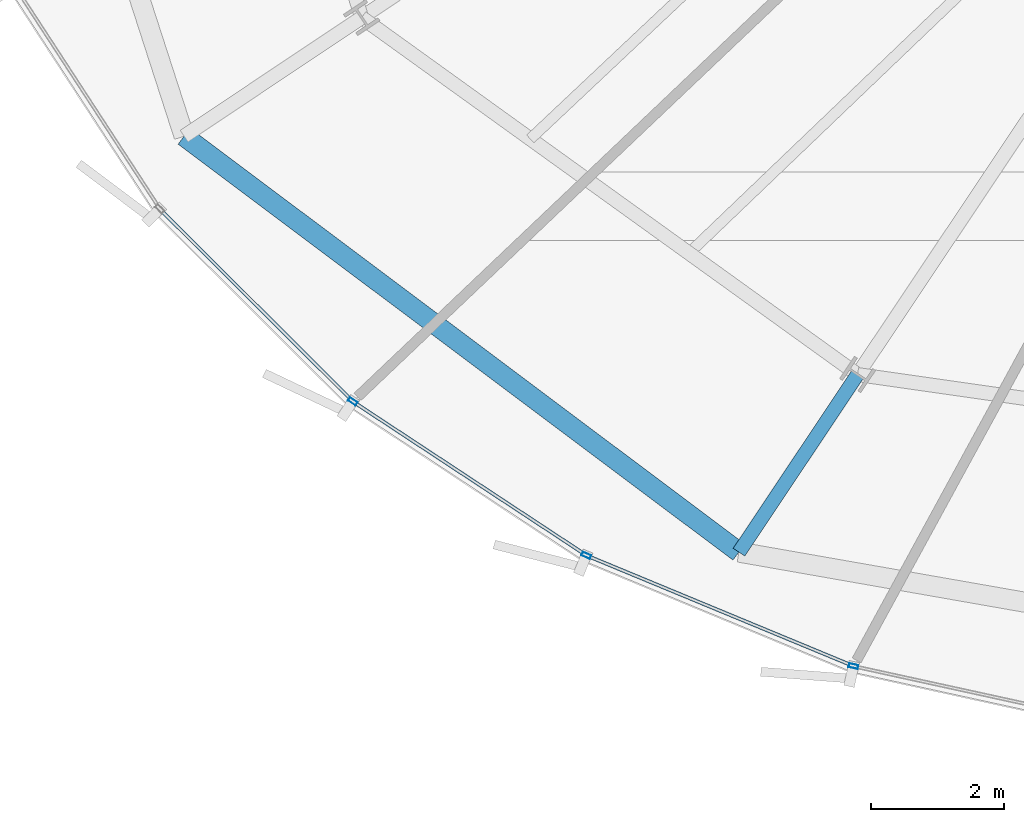
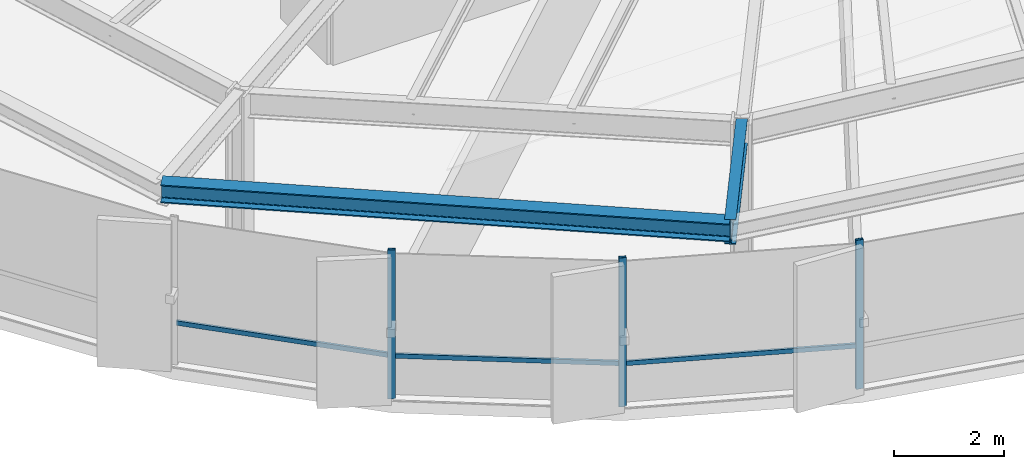
# One storey, part 2 of 36: 6 members, 2 beams, 1 element without a shape of its own.
"""IFC4 building model written with IfcOpenShell, lengths in metres."""

from ifc_helpers import new_model, si_unit, direction, frame, origin, origin_2d, place, context, subcontext, project, spatial, hollow_rectangle, i_section, extrude, source, transform, mapped, material, layer, layer_set, material_profile, profile_set, type_object, element, aggregate, save


model = new_model("IFC4")

# Units and contexts
model_context = context("Model", 3, precision=1e-05, world=origin(), true_north=direction((0.0, 1.0)))
body_context = subcontext(model_context, "Body", "Model", "MODEL_VIEW")
ifc_project = project(units=[si_unit("LENGTHUNIT", "METRE"), si_unit("AREAUNIT", "SQUARE_METRE"), si_unit("VOLUMEUNIT", "CUBIC_METRE"), si_unit("PLANEANGLEUNIT", "RADIAN"), si_unit("MASSUNIT", "GRAM", prefix="KILO"), si_unit("THERMODYNAMICTEMPERATUREUNIT", "KELVIN")], contexts=[model_context])

# Site, building, storey
site_placement = place(None, origin())
site = spatial("IfcSite", under=ifc_project, at=site_placement, CompositionType="ELEMENT")
building_placement = place(site_placement, origin())
building = spatial("IfcBuilding", under=site, at=building_placement, Name="Kethvar Cultural Tower", CompositionType="ELEMENT")
storey_placement = place(building_placement, frame((0.0, 0.0, 143.0)))
storey = spatial("IfcBuildingStorey", under=building, at=storey_placement, Name="L36", CompositionType="ELEMENT", Elevation=143.0)

# Beams
ifc_material_1 = material(Name="Steel S355J2", Category="steel")
ifc_material_profile_1 = material_profile(ifc_material_1, i_section(OverallWidth=0.2099609375, OverallDepth=0.550048828125, WebThickness=0.010986328125, FlangeThickness=0.01708984375, FilletRadius=0.02392578125, at=origin_2d()), Name="Steel S355J2 — IPE550")
ifc_profile_set_1 = profile_set([ifc_material_profile_1], Name="Steel S355J2 — IPE550")
beam_type_1 = type_object("IfcBeamType", Name="BM-IPE550", PredefinedType="BEAM", material=ifc_profile_set_1)
shared_shape_1 = source(origin(), body_context, "Body", "SweptSolid", [
    extrude(i_section(OverallWidth=0.2099609375, OverallDepth=0.550048828125, WebThickness=0.010986328125, FlangeThickness=0.01708984375, FilletRadius=0.02392578125, at=origin_2d()), origin(), (0.0, 0.0, 1.0), 3.199951171875),
])
beam_1_placement = place(storey_placement, frame((34.350830078125, 9.16845703125, 3.02294921875), z_axis=(-0.555580212716, -0.831462943996, 0.0), x_axis=(0.831462943996, -0.555580212716, 0.0)))
element("IfcBeam", 1, at=beam_1_placement, inside=storey, type_object=beam_type_1, Name="L36 Perimeter Cantilever Beam RC-11", PredefinedType="BEAM", context=body_context, shape_type="MappedRepresentation", body=[
    mapped(shared_shape_1, transform((0.0, 0.0, 0.0), scale=1.0)),
])
ifc_material_profile_2 = material_profile(ifc_material_1, i_section(OverallWidth=0.300048828125, OverallDepth=0.39990234375, WebThickness=0.013427734375, FlangeThickness=0.02392578125, FilletRadius=0.027099609375, at=origin_2d()), Name="Steel S355J2 — HEB400")
ifc_profile_set_2 = profile_set([ifc_material_profile_2], Name="Steel S355J2 — HEB400")
beam_type_2 = type_object("IfcBeamType", Name="BM-SP400", PredefinedType="SPANDREL", material=ifc_profile_set_2)
shared_shape_2 = source(origin(), body_context, "Body", "SweptSolid", [
    extrude(i_section(OverallWidth=0.300048828125, OverallDepth=0.39990234375, WebThickness=0.013427734375, FlangeThickness=0.02392578125, FilletRadius=0.027099609375, at=origin_2d()), origin(), (0.0, 0.0, 1.0), 10.38916015625),
])
beam_2_placement = place(storey_placement, frame((24.260009765625, 12.7392578125, 3.097900390625), z_axis=(0.800152249906, -0.599796946449, 0.0), x_axis=(0.599796946449, 0.800152249906, 0.0)))
element("IfcBeam", 2, at=beam_2_placement, inside=storey, type_object=beam_type_2, Name="L36 Perimeter Spandrel Beam SP-10", PredefinedType="SPANDREL", context=body_context, shape_type="MappedRepresentation", body=[
    mapped(shared_shape_2, transform((0.0, 0.0, 0.0), scale=1.0)),
])

# Curtain wall, members
ifc_material_2 = material(Name="Aluminium 6063-T6", Category="aluminium")
ifc_layer = layer(ifc_material_2, 0.179931640625, Name="Aluminium 6063-T6", Category="aluminium")
ifc_layer_set = layer_set([ifc_layer], Name="Aluminium 6063-T6 (180 mm)")
curtain_wall_type = type_object("IfcCurtainWallType", Name="CW-SYS-04-Z34", PredefinedType="NOTDEFINED", material=ifc_layer_set)
curtain_wall_placement = place(storey_placement, origin())
curtain_wall = element("IfcCurtainWall", 3, at=curtain_wall_placement, inside=storey, type_object=curtain_wall_type, Name="L36 Curtain Wall Run 04", PredefinedType="NOTDEFINED")
ifc_material_profile_3 = material_profile(ifc_material_2, hollow_rectangle(XDim=0.06005859375, YDim=0.139892578125, WallThickness=0.0048828125, at=origin_2d()), Name="Aluminium 6063-T6 — RHS140x60x5")
ifc_profile_set_3 = profile_set([ifc_material_profile_3], Name="Aluminium 6063-T6 — RHS140x60x5")
member_type_1 = type_object("IfcMemberType", Name="CW-SYS-04-Z34-MUL", PredefinedType="MULLION", material=ifc_profile_set_3)
shared_shape_3 = source(origin(), body_context, "Body", "SweptSolid", [
    extrude(hollow_rectangle(XDim=0.06005859375, YDim=0.139892578125, WallThickness=0.0048828125, at=origin_2d()), origin(), (0.0, 0.0, 1.0), 3.300048828125),
])
member_1_placement = place(storey_placement, frame((26.78564453125, 8.765625, 0.0), z_axis=(0.0, 0.0, 1.0), x_axis=(0.550014387247, 0.835155179485, 0.0)))
member_1 = element("IfcMember", 4, at=member_1_placement, type_object=member_type_1, Name="CW-L36-R04 Mullion 3", PredefinedType="MULLION", context=body_context, shape_type="MappedRepresentation", body=[
    mapped(shared_shape_3, transform((0.0, 0.0, 0.0), scale=1.0)),
])
member_2_placement = place(storey_placement, frame((30.28564453125, 6.458251953125, 0.0), z_axis=(0.0, 0.0, 1.0), x_axis=(0.382635057621, 0.923899568503, 0.0)))
member_2 = element("IfcMember", 5, at=member_2_placement, type_object=member_type_1, Name="CW-L36-R04 Mullion 4", PredefinedType="MULLION", context=body_context, shape_type="MappedRepresentation", body=[
    mapped(shared_shape_3, transform((0.0, 0.0, 0.0), scale=1.0)),
])
member_3_placement = place(storey_placement, frame((34.28857421875, 4.798583984375, 0.0), z_axis=(0.0, 0.0, 1.0), x_axis=(0.213780640523, 0.976881690758, 0.0)))
member_3 = element("IfcMember", 6, at=member_3_placement, type_object=member_type_1, Name="CW-L36-R04 Mullion 5", PredefinedType="MULLION", context=body_context, shape_type="MappedRepresentation", body=[
    mapped(shared_shape_3, transform((0.0, 0.0, 0.0), scale=1.0)),
])
ifc_material_profile_4 = material_profile(ifc_material_2, hollow_rectangle(XDim=0.050048828125, YDim=0.10009765625, WallThickness=0.00390625, at=origin_2d()), Name="Aluminium 6063-T6 — RHS100x50x4")
ifc_profile_set_4 = profile_set([ifc_material_profile_4], Name="Aluminium 6063-T6 — RHS100x50x4")
member_type_2 = type_object("IfcMemberType", Name="CW-SYS-04-Z34-TRN", PredefinedType="USERDEFINED", material=ifc_profile_set_4)
shared_shape_4 = source(origin(), body_context, "Body", "SweptSolid", [
    extrude(hollow_rectangle(XDim=0.050048828125, YDim=0.10009765625, WallThickness=0.00390625, at=origin_2d()), origin(), (0.0, 0.0, 1.0), 4.266357421875),
])
member_4_placement = place(storey_placement, frame((30.325439453125, 6.44189453125, 0.949951171875), z_axis=(0.923889202351, -0.382660086474, 0.0), x_axis=(0.382660086474, 0.923889202351, 0.0)))
member_4 = element("IfcMember", 7, at=member_4_placement, type_object=member_type_2, Name="CW-L36-R04 Transom 4", ObjectType="TRANSOM", PredefinedType="USERDEFINED", context=body_context, shape_type="MappedRepresentation", body=[
    mapped(shared_shape_4, transform((0.0, 0.0, 0.0), scale=1.0)),
])
shared_shape_5 = source(origin(), body_context, "Body", "SweptSolid", [
    extrude(hollow_rectangle(XDim=0.050048828125, YDim=0.10009765625, WallThickness=0.00390625, at=origin_2d()), origin(), (0.0, 0.0, 1.0), 4.01953125),
])
member_5_placement = place(storey_placement, frame((23.925048828125, 11.619384765625, 0.949951171875), z_axis=(0.708350856567, -0.705860513133, 0.0), x_axis=(0.705860513133, 0.708350856567, 0.0)))
member_5 = element("IfcMember", 8, at=member_5_placement, type_object=member_type_2, Name="CW-L36-R04 Transom 2", ObjectType="TRANSOM", PredefinedType="USERDEFINED", context=body_context, shape_type="MappedRepresentation", body=[
    mapped(shared_shape_5, transform((0.0, 0.0, 0.0), scale=1.0)),
])
shared_shape_6 = source(origin(), body_context, "Body", "SweptSolid", [
    extrude(hollow_rectangle(XDim=0.050048828125, YDim=0.10009765625, WallThickness=0.00390625, at=origin_2d()), origin(), (0.0, 0.0, 1.0), 4.126220703125),
])
member_6_placement = place(storey_placement, frame((26.82177734375, 8.741943359375, 0.949951171875), z_axis=(0.835150315166, -0.550021773276, 0.0), x_axis=(0.550021773276, 0.835150315166, 0.0)))
member_6 = element("IfcMember", 9, at=member_6_placement, type_object=member_type_2, Name="CW-L36-R04 Transom 3", ObjectType="TRANSOM", PredefinedType="USERDEFINED", context=body_context, shape_type="MappedRepresentation", body=[
    mapped(shared_shape_6, transform((0.0, 0.0, 0.0), scale=1.0)),
])
aggregate(curtain_wall, [member_1, member_2, member_3, member_5, member_6, member_4])

save(model, "model.ifc")
